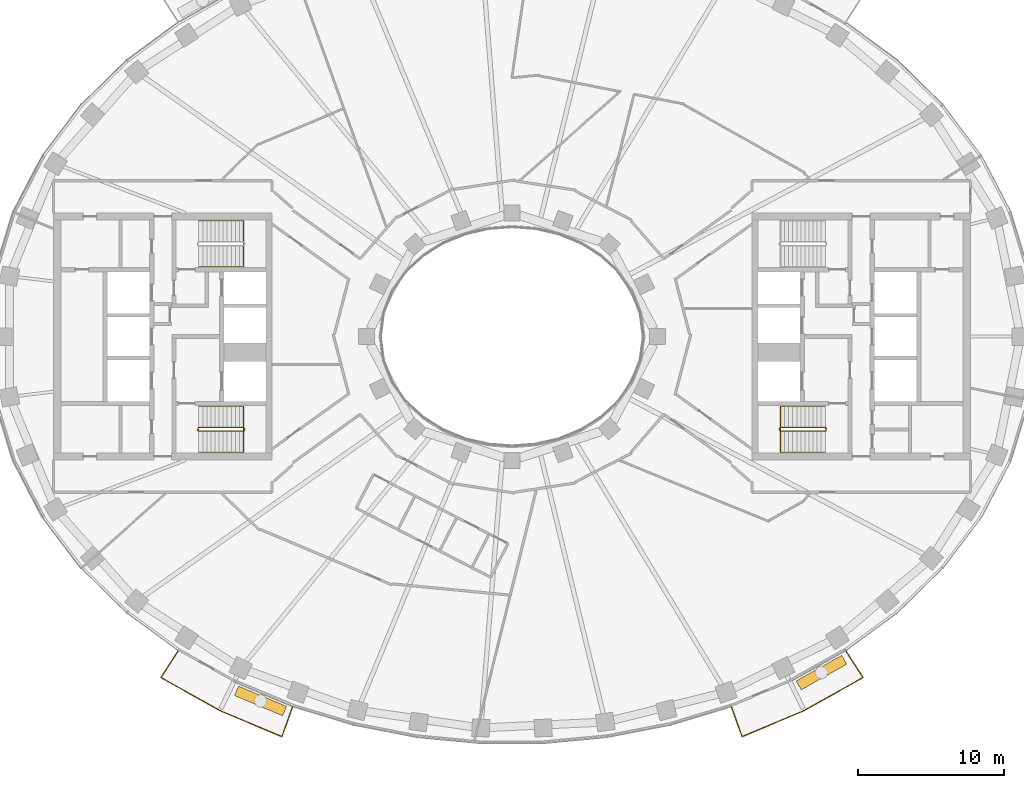
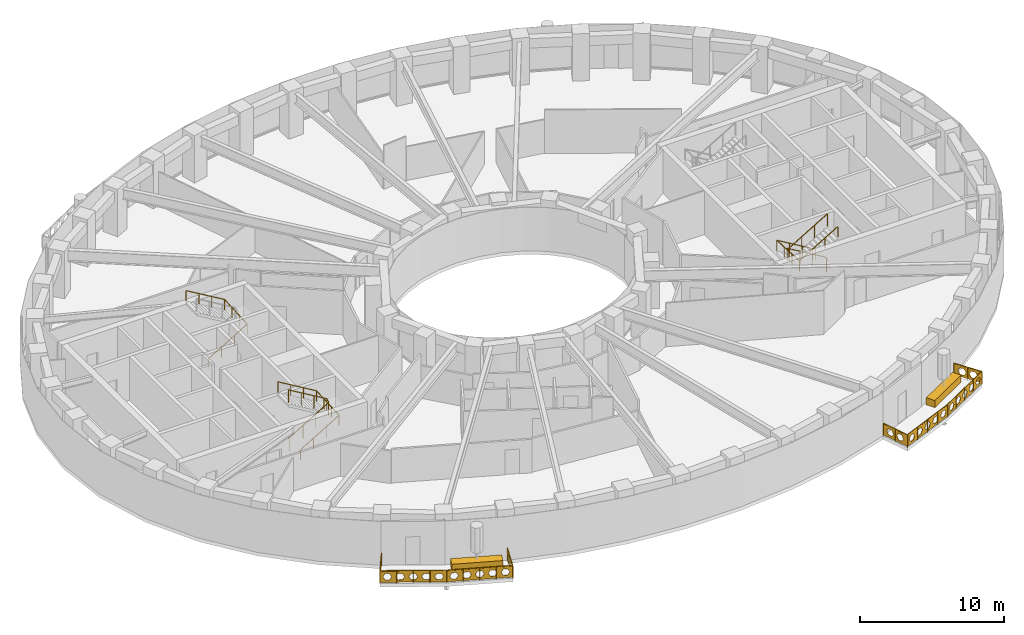
# One storey, part 13 of 15: 7 railings, 2 coverings.
"""IFC4 building model written with IfcOpenShell, lengths in metres."""

from ifc_helpers import new_model, si_unit, direction, frame, origin, origin_2d, place, context, subcontext, project, spatial, polyline, rectangle, outline, extrude, material, type_object, element, save


model = new_model("IFC4")

# Units and contexts
model_context = context("Model", 3, precision=1e-05, world=origin(), true_north=direction((0.0, 1.0)))
body_context = subcontext(model_context, "Body", "Model", "MODEL_VIEW")
ifc_project = project(units=[si_unit("LENGTHUNIT", "METRE"), si_unit("AREAUNIT", "SQUARE_METRE"), si_unit("VOLUMEUNIT", "CUBIC_METRE"), si_unit("PLANEANGLEUNIT", "RADIAN"), si_unit("MASSUNIT", "GRAM", prefix="KILO")], contexts=[model_context])

# Site, building, storey
site_placement = place(None, origin())
site = spatial("IfcSite", under=ifc_project, at=site_placement, CompositionType="ELEMENT")
building_placement = place(site_placement, origin())
building = spatial("IfcBuilding", under=site, at=building_placement, Name="Noorbagh Ring Tower", CompositionType="ELEMENT")
storey_placement = place(building_placement, frame((0.0, 0.0, 170.0)))
storey = spatial("IfcBuildingStorey", under=building, at=storey_placement, Name="L39", CompositionType="ELEMENT", Elevation=170.0)

# Railings
ifc_material_1 = material(Name="Stainless steel", Category="steel")
railing_type_1 = type_object("IfcRailingType", Name="CORE-STAIR-GUARD", PredefinedType="GUARDRAIL", material=ifc_material_1)
railing_1_placement = place(storey_placement, frame((-21.580078125, -6.449951171875, 0.0)))
element("IfcRailing", 1, at=railing_1_placement, inside=storey, type_object=railing_type_1, Name="L39 ST2 stair guard", PredefinedType="GUARDRAIL", context=body_context, shape_type="SweptSolid", body=[
    extrude(rectangle(XDim=0.048095703125, YDim=0.048095703125, at=origin_2d()), frame((0.0, 0.0, 1.076171875), z_axis=(0.0, 1.0, 0.0), x_axis=(-1.0, 0.0, 0.0)), (0.0, 0.0, 1.0), 0.14990234375),
    extrude(rectangle(XDim=0.048095703125, YDim=0.048095703125, at=origin_2d()), frame((0.0, 0.14990234375, 1.076171875), z_axis=(0.188775798145, -0.754182335027, 0.628945707965), x_axis=(0.970072785993, 0.242814311512, 0.0)), (0.0, 0.0, 1.0), 0.26513671875),
    extrude(rectangle(XDim=0.048095703125, YDim=0.048095703125, at=origin_2d()), frame((0.050048828125, -0.050048828125, 1.24267578125), z_axis=(0.859308565015, 0.0, 0.511457515432), x_axis=(0.0, 1.0, 0.0)), (0.0, 0.0, 1.0), 3.58447265625),
    extrude(rectangle(XDim=0.048095703125, YDim=0.048095703125, at=origin_2d()), frame((3.130126953125, -0.050048828125, 3.076171875), z_axis=(0.707106781187, 0.707106781187, 0.0), x_axis=(-0.707106781187, 0.707106781187, 0.0)), (0.0, 0.0, 1.0), 0.07080078125),
    extrude(rectangle(XDim=0.048095703125, YDim=0.048095703125, at=origin_2d()), frame((3.18017578125, 0.0, 3.076171875), z_axis=(0.0, 1.0, 0.0), x_axis=(-1.0, 0.0, 0.0)), (0.0, 0.0, 1.0), 0.14990234375),
    extrude(rectangle(XDim=0.048095703125, YDim=0.048095703125, at=origin_2d()), frame((3.18017578125, 0.14990234375, 3.076171875), z_axis=(-0.27628659633, 0.27628659633, 0.920506074601), x_axis=(-0.707106781187, -0.707106781187, 0.0)), (0.0, 0.0, 1.0), 0.18115234375),
    extrude(rectangle(XDim=0.048095703125, YDim=0.048095703125, at=origin_2d()), frame((3.130126953125, 0.199951171875, 3.24267578125), z_axis=(-0.859308565015, 0.0, 0.511457515432), x_axis=(0.0, -1.0, 0.0)), (0.0, 0.0, 1.0), 3.58447265625),
    extrude(rectangle(XDim=0.0419921875, YDim=0.0419921875, at=origin_2d()), origin(), (0.0, 0.0, 1.0), 1.052001953125),
    extrude(rectangle(XDim=0.0419921875, YDim=0.0419921875, at=origin_2d()), frame((1.07666015625, -0.050048828125, 0.77783203125)), (0.0, 0.0, 1.0), 1.052001953125),
    extrude(rectangle(XDim=0.0419921875, YDim=0.0419921875, at=origin_2d()), frame((2.103515625, -0.050048828125, 1.388916015625)), (0.0, 0.0, 1.0), 1.052001953125),
    extrude(rectangle(XDim=0.0419921875, YDim=0.0419921875, at=origin_2d()), frame((3.130126953125, -0.050048828125, 2.0)), (0.0, 0.0, 1.0), 1.052001953125),
    extrude(rectangle(XDim=0.0419921875, YDim=0.0419921875, at=origin_2d()), frame((3.130126953125, 0.199951171875, 2.166748046875)), (0.0, 0.0, 1.0), 1.052001953125),
    extrude(rectangle(XDim=0.0419921875, YDim=0.0419921875, at=origin_2d()), frame((2.103515625, 0.199951171875, 2.77783203125)), (0.0, 0.0, 1.0), 1.052001953125),
    extrude(rectangle(XDim=0.0419921875, YDim=0.0419921875, at=origin_2d()), frame((1.07666015625, 0.199951171875, 3.388916015625)), (0.0, 0.0, 1.0), 1.052001953125),
    extrude(rectangle(XDim=0.0419921875, YDim=0.0419921875, at=origin_2d()), frame((0.050048828125, 0.199951171875, 4.0)), (0.0, 0.0, 1.0), 1.052001953125),
])
railing_2_placement = place(storey_placement, frame((21.580078125, -6.300048828125, 0.0)))
element("IfcRailing", 2, at=railing_2_placement, inside=storey, type_object=railing_type_1, Name="L39 ST4 stair guard", PredefinedType="GUARDRAIL", context=body_context, shape_type="SweptSolid", body=[
    extrude(rectangle(XDim=0.048095703125, YDim=0.048095703125, at=origin_2d()), frame((0.0, 0.0, 1.076171875), z_axis=(0.0, -1.0, 0.0), x_axis=(1.0, 0.0, 0.0)), (0.0, 0.0, 1.0), 0.14990234375),
    extrude(rectangle(XDim=0.048095703125, YDim=0.048095703125, at=origin_2d()), frame((0.0, -0.14990234375, 1.076171875), z_axis=(-0.188775798145, 0.754182335027, 0.628945707965), x_axis=(-0.970072785993, -0.242814311512, 0.0)), (0.0, 0.0, 1.0), 0.26513671875),
    extrude(rectangle(XDim=0.048095703125, YDim=0.048095703125, at=origin_2d()), frame((-0.050048828125, 0.050048828125, 1.24267578125), z_axis=(-0.859308565015, 0.0, 0.511457515432), x_axis=(0.0, -1.0, 0.0)), (0.0, 0.0, 1.0), 3.58447265625),
    extrude(rectangle(XDim=0.048095703125, YDim=0.048095703125, at=origin_2d()), frame((-3.130126953125, 0.050048828125, 3.076171875), z_axis=(-0.707106781187, -0.707106781187, 0.0), x_axis=(0.707106781187, -0.707106781187, 0.0)), (0.0, 0.0, 1.0), 0.07080078125),
    extrude(rectangle(XDim=0.048095703125, YDim=0.048095703125, at=origin_2d()), frame((-3.18017578125, 0.0, 3.076171875), z_axis=(0.0, -1.0, 0.0), x_axis=(1.0, 0.0, 0.0)), (0.0, 0.0, 1.0), 0.14990234375),
    extrude(rectangle(XDim=0.048095703125, YDim=0.048095703125, at=origin_2d()), frame((-3.18017578125, -0.14990234375, 3.076171875), z_axis=(0.27628659633, -0.27628659633, 0.920506074601), x_axis=(0.707106781187, 0.707106781187, 0.0)), (0.0, 0.0, 1.0), 0.18115234375),
    extrude(rectangle(XDim=0.048095703125, YDim=0.048095703125, at=origin_2d()), frame((-3.130126953125, -0.199951171875, 3.24267578125), z_axis=(0.859308565015, 0.0, 0.511457515432), x_axis=(0.0, 1.0, 0.0)), (0.0, 0.0, 1.0), 3.58447265625),
    extrude(rectangle(XDim=0.0419921875, YDim=0.0419921875, at=origin_2d()), origin(), (0.0, 0.0, 1.0), 1.052001953125),
    extrude(rectangle(XDim=0.0419921875, YDim=0.0419921875, at=origin_2d()), frame((-1.07666015625, 0.050048828125, 0.77783203125)), (0.0, 0.0, 1.0), 1.052001953125),
    extrude(rectangle(XDim=0.0419921875, YDim=0.0419921875, at=origin_2d()), frame((-2.103515625, 0.050048828125, 1.388916015625)), (0.0, 0.0, 1.0), 1.052001953125),
    extrude(rectangle(XDim=0.0419921875, YDim=0.0419921875, at=origin_2d()), frame((-3.130126953125, 0.050048828125, 2.0)), (0.0, 0.0, 1.0), 1.052001953125),
    extrude(rectangle(XDim=0.0419921875, YDim=0.0419921875, at=origin_2d()), frame((-3.130126953125, -0.199951171875, 2.166748046875)), (0.0, 0.0, 1.0), 1.052001953125),
    extrude(rectangle(XDim=0.0419921875, YDim=0.0419921875, at=origin_2d()), frame((-2.103515625, -0.199951171875, 2.77783203125)), (0.0, 0.0, 1.0), 1.052001953125),
    extrude(rectangle(XDim=0.0419921875, YDim=0.0419921875, at=origin_2d()), frame((-1.07666015625, -0.199951171875, 3.388916015625)), (0.0, 0.0, 1.0), 1.052001953125),
    extrude(rectangle(XDim=0.0419921875, YDim=0.0419921875, at=origin_2d()), frame((-0.050048828125, -0.199951171875, 4.0)), (0.0, 0.0, 1.0), 1.052001953125),
])
ifc_material_2 = material(Name="Stainless steel", Category="steel")
railing_type_2 = type_object("IfcRailingType", Name="CORE-STAIR-HANDRAIL", PredefinedType="HANDRAIL", material=ifc_material_2)
railing_3_placement = place(storey_placement, frame((-21.530029296875, 4.800048828125, 0.166748046875)))
element("IfcRailing", 3, at=railing_3_placement, inside=storey, type_object=railing_type_2, Name="L39 ST1 stair handrail", PredefinedType="HANDRAIL", context=body_context, shape_type="SweptSolid", body=[
    extrude(rectangle(XDim=0.048095703125, YDim=0.048095703125, at=origin_2d()), frame((0.0, 0.0, 0.8759765625), z_axis=(0.859308565015, 0.0, 0.511457515432), x_axis=(0.0, 1.0, 0.0)), (0.0, 0.0, 1.0), 3.58447265625),
    extrude(rectangle(XDim=0.048095703125, YDim=0.048095703125, at=origin_2d()), frame((3.080078125, 0.0, 2.708984375), z_axis=(0.0, 0.998601747152, 0.052863509014), x_axis=(-1.0, 0.0, 0.0)), (0.0, 0.0, 1.0), 3.154296875),
    extrude(rectangle(XDim=0.048095703125, YDim=0.048095703125, at=origin_2d()), frame((3.080078125, 3.14990234375, 2.8759765625), z_axis=(-0.859308565015, 0.0, 0.511457515432), x_axis=(0.0, -1.0, 0.0)), (0.0, 0.0, 1.0), 3.58447265625),
    extrude(rectangle(XDim=0.0419921875, YDim=0.0419921875, at=origin_2d()), origin(), (0.0, 0.0, 1.0), 0.851806640625),
    extrude(rectangle(XDim=0.0419921875, YDim=0.0419921875, at=origin_2d()), frame((1.026611328125, 0.0, 0.611083984375)), (0.0, 0.0, 1.0), 0.851806640625),
    extrude(rectangle(XDim=0.0419921875, YDim=0.0419921875, at=origin_2d()), frame((2.053466796875, 0.0, 1.22216796875)), (0.0, 0.0, 1.0), 0.851806640625),
    extrude(rectangle(XDim=0.0419921875, YDim=0.0419921875, at=origin_2d()), frame((3.080078125, 0.0, 1.833251953125)), (0.0, 0.0, 1.0), 0.851806640625),
    extrude(rectangle(XDim=0.0419921875, YDim=0.0419921875, at=origin_2d()), frame((3.080078125, 1.050048828125, 1.888916015625)), (0.0, 0.0, 1.0), 0.851806640625),
    extrude(rectangle(XDim=0.0419921875, YDim=0.0419921875, at=origin_2d()), frame((3.080078125, 2.099853515625, 1.9443359375)), (0.0, 0.0, 1.0), 0.851806640625),
    extrude(rectangle(XDim=0.0419921875, YDim=0.0419921875, at=origin_2d()), frame((3.080078125, 3.14990234375, 2.0)), (0.0, 0.0, 1.0), 0.851806640625),
    extrude(rectangle(XDim=0.0419921875, YDim=0.0419921875, at=origin_2d()), frame((2.053466796875, 3.14990234375, 2.611083984375)), (0.0, 0.0, 1.0), 0.851806640625),
    extrude(rectangle(XDim=0.0419921875, YDim=0.0419921875, at=origin_2d()), frame((1.026611328125, 3.14990234375, 3.22216796875)), (0.0, 0.0, 1.0), 0.851806640625),
    extrude(rectangle(XDim=0.0419921875, YDim=0.0419921875, at=origin_2d()), frame((0.0, 3.14990234375, 3.833251953125)), (0.0, 0.0, 1.0), 0.851806640625),
])
railing_4_placement = place(storey_placement, frame((-21.530029296875, -7.949951171875, 0.166748046875)))
element("IfcRailing", 4, at=railing_4_placement, inside=storey, type_object=railing_type_2, Name="L39 ST2 stair handrail", PredefinedType="HANDRAIL", context=body_context, shape_type="SweptSolid", body=[
    extrude(rectangle(XDim=0.048095703125, YDim=0.048095703125, at=origin_2d()), frame((0.0, 0.0, 0.8759765625), z_axis=(0.859308565015, 0.0, 0.511457515432), x_axis=(0.0, 1.0, 0.0)), (0.0, 0.0, 1.0), 3.58447265625),
    extrude(rectangle(XDim=0.048095703125, YDim=0.048095703125, at=origin_2d()), frame((3.080078125, 0.0, 2.708984375), z_axis=(0.0, 0.998601747152, 0.052863509014), x_axis=(-1.0, 0.0, 0.0)), (0.0, 0.0, 1.0), 3.154296875),
    extrude(rectangle(XDim=0.048095703125, YDim=0.048095703125, at=origin_2d()), frame((3.080078125, 3.14990234375, 2.8759765625), z_axis=(-0.859308565015, 0.0, 0.511457515432), x_axis=(0.0, -1.0, 0.0)), (0.0, 0.0, 1.0), 3.58447265625),
    extrude(rectangle(XDim=0.0419921875, YDim=0.0419921875, at=origin_2d()), origin(), (0.0, 0.0, 1.0), 0.851806640625),
    extrude(rectangle(XDim=0.0419921875, YDim=0.0419921875, at=origin_2d()), frame((1.026611328125, 0.0, 0.611083984375)), (0.0, 0.0, 1.0), 0.851806640625),
    extrude(rectangle(XDim=0.0419921875, YDim=0.0419921875, at=origin_2d()), frame((2.053466796875, 0.0, 1.22216796875)), (0.0, 0.0, 1.0), 0.851806640625),
    extrude(rectangle(XDim=0.0419921875, YDim=0.0419921875, at=origin_2d()), frame((3.080078125, 0.0, 1.833251953125)), (0.0, 0.0, 1.0), 0.851806640625),
    extrude(rectangle(XDim=0.0419921875, YDim=0.0419921875, at=origin_2d()), frame((3.080078125, 1.050048828125, 1.888916015625)), (0.0, 0.0, 1.0), 0.851806640625),
    extrude(rectangle(XDim=0.0419921875, YDim=0.0419921875, at=origin_2d()), frame((3.080078125, 2.099853515625, 1.9443359375)), (0.0, 0.0, 1.0), 0.851806640625),
    extrude(rectangle(XDim=0.0419921875, YDim=0.0419921875, at=origin_2d()), frame((3.080078125, 3.14990234375, 2.0)), (0.0, 0.0, 1.0), 0.851806640625),
    extrude(rectangle(XDim=0.0419921875, YDim=0.0419921875, at=origin_2d()), frame((2.053466796875, 3.14990234375, 2.611083984375)), (0.0, 0.0, 1.0), 0.851806640625),
    extrude(rectangle(XDim=0.0419921875, YDim=0.0419921875, at=origin_2d()), frame((1.026611328125, 3.14990234375, 3.22216796875)), (0.0, 0.0, 1.0), 0.851806640625),
    extrude(rectangle(XDim=0.0419921875, YDim=0.0419921875, at=origin_2d()), frame((0.0, 3.14990234375, 3.833251953125)), (0.0, 0.0, 1.0), 0.851806640625),
])
railing_5_placement = place(storey_placement, frame((21.530029296875, -4.800048828125, 0.166748046875)))
element("IfcRailing", 5, at=railing_5_placement, inside=storey, type_object=railing_type_2, Name="L39 ST4 stair handrail", PredefinedType="HANDRAIL", context=body_context, shape_type="SweptSolid", body=[
    extrude(rectangle(XDim=0.048095703125, YDim=0.048095703125, at=origin_2d()), frame((0.0, 0.0, 0.8759765625), z_axis=(-0.859308565015, 0.0, 0.511457515432), x_axis=(0.0, -1.0, 0.0)), (0.0, 0.0, 1.0), 3.58447265625),
    extrude(rectangle(XDim=0.048095703125, YDim=0.048095703125, at=origin_2d()), frame((-3.080078125, 0.0, 2.708984375), z_axis=(0.0, -0.998601747152, 0.052863509014), x_axis=(1.0, 0.0, 0.0)), (0.0, 0.0, 1.0), 3.154296875),
    extrude(rectangle(XDim=0.048095703125, YDim=0.048095703125, at=origin_2d()), frame((-3.080078125, -3.14990234375, 2.8759765625), z_axis=(0.859308565015, 0.0, 0.511457515432), x_axis=(0.0, 1.0, 0.0)), (0.0, 0.0, 1.0), 3.58447265625),
    extrude(rectangle(XDim=0.0419921875, YDim=0.0419921875, at=origin_2d()), origin(), (0.0, 0.0, 1.0), 0.851806640625),
    extrude(rectangle(XDim=0.0419921875, YDim=0.0419921875, at=origin_2d()), frame((-1.026611328125, 0.0, 0.611083984375)), (0.0, 0.0, 1.0), 0.851806640625),
    extrude(rectangle(XDim=0.0419921875, YDim=0.0419921875, at=origin_2d()), frame((-2.053466796875, 0.0, 1.22216796875)), (0.0, 0.0, 1.0), 0.851806640625),
    extrude(rectangle(XDim=0.0419921875, YDim=0.0419921875, at=origin_2d()), frame((-3.080078125, 0.0, 1.833251953125)), (0.0, 0.0, 1.0), 0.851806640625),
    extrude(rectangle(XDim=0.0419921875, YDim=0.0419921875, at=origin_2d()), frame((-3.080078125, -1.050048828125, 1.888916015625)), (0.0, 0.0, 1.0), 0.851806640625),
    extrude(rectangle(XDim=0.0419921875, YDim=0.0419921875, at=origin_2d()), frame((-3.080078125, -2.099853515625, 1.9443359375)), (0.0, 0.0, 1.0), 0.851806640625),
    extrude(rectangle(XDim=0.0419921875, YDim=0.0419921875, at=origin_2d()), frame((-3.080078125, -3.14990234375, 2.0)), (0.0, 0.0, 1.0), 0.851806640625),
    extrude(rectangle(XDim=0.0419921875, YDim=0.0419921875, at=origin_2d()), frame((-2.053466796875, -3.14990234375, 2.611083984375)), (0.0, 0.0, 1.0), 0.851806640625),
    extrude(rectangle(XDim=0.0419921875, YDim=0.0419921875, at=origin_2d()), frame((-1.026611328125, -3.14990234375, 3.22216796875)), (0.0, 0.0, 1.0), 0.851806640625),
    extrude(rectangle(XDim=0.0419921875, YDim=0.0419921875, at=origin_2d()), frame((0.0, -3.14990234375, 3.833251953125)), (0.0, 0.0, 1.0), 0.851806640625),
])
ifc_material_3 = material(Name="Steel S275 black powder-coated", Category="steel")
railing_type_3 = type_object("IfcRailingType", Name="ENV-GUARD", PredefinedType="GUARDRAIL", material=ifc_material_3)
railing_6_placement = place(storey_placement, frame((-22.9326171875, -21.583740234375, 0.0)))
element("IfcRailing", 6, at=railing_6_placement, inside=storey, type_object=railing_type_3, Name="Balcony guard BS02", PredefinedType="GUARDRAIL", context=body_context, shape_type="SweptSolid", body=[
    extrude(rectangle(XDim=0.048095703125, YDim=0.048095703125, at=origin_2d()), frame((0.0, 0.0, 1.076171875), z_axis=(-0.542268136821, -0.840205491406, 0.0), x_axis=(0.840205491406, -0.542268136821, 0.0)), (0.0, 0.0, 1.0), 2.204345703125),
    extrude(rectangle(XDim=0.048095703125, YDim=0.048095703125, at=origin_2d()), frame((-1.1953125, -1.85205078125, 1.076171875), z_axis=(0.872052247658, -0.489412788303, 0.0), x_axis=(0.489412788303, 0.872052247658, 0.0)), (0.0, 0.0, 1.0), 4.646240234375),
    extrude(rectangle(XDim=0.048095703125, YDim=0.048095703125, at=origin_2d()), frame((2.8564453125, -4.1259765625, 1.076171875), z_axis=(0.921809087722, -0.387644174203, 0.0), x_axis=(0.387644174203, 0.921809087722, 0.0)), (0.0, 0.0, 1.0), 4.627197265625),
    extrude(rectangle(XDim=0.048095703125, YDim=0.048095703125, at=origin_2d()), frame((7.121826171875, -5.919677734375, 1.076171875), z_axis=(0.338350546839, 0.941020141896, 0.0), x_axis=(-0.941020141896, 0.338350546839, 0.0)), (0.0, 0.0, 1.0), 2.202880859375),
    extrude(rectangle(XDim=0.0419921875, YDim=0.0419921875, at=origin_2d()), origin(), (0.0, 0.0, 1.0), 1.052001953125),
    extrude(rectangle(XDim=0.0419921875, YDim=0.0419921875, at=origin_2d()), frame((-0.59765625, -0.926025390625, 0.0)), (0.0, 0.0, 1.0), 1.052001953125),
    extrude(rectangle(XDim=0.0419921875, YDim=0.0419921875, at=origin_2d()), frame((-1.1953125, -1.85205078125, 0.0)), (0.0, 0.0, 1.0), 1.052001953125),
    extrude(rectangle(XDim=0.0419921875, YDim=0.0419921875, at=origin_2d()), frame((-0.182373046875, -2.42041015625, 0.0)), (0.0, 0.0, 1.0), 1.052001953125),
    extrude(rectangle(XDim=0.0419921875, YDim=0.0419921875, at=origin_2d()), frame((0.83056640625, -2.989013671875, 0.0)), (0.0, 0.0, 1.0), 1.052001953125),
    extrude(rectangle(XDim=0.0419921875, YDim=0.0419921875, at=origin_2d()), frame((1.843505859375, -3.5576171875, 0.0)), (0.0, 0.0, 1.0), 1.052001953125),
    extrude(rectangle(XDim=0.0419921875, YDim=0.0419921875, at=origin_2d()), frame((2.8564453125, -4.1259765625, 0.0)), (0.0, 0.0, 1.0), 1.052001953125),
    extrude(rectangle(XDim=0.0419921875, YDim=0.0419921875, at=origin_2d()), frame((3.9228515625, -4.574462890625, 0.0)), (0.0, 0.0, 1.0), 1.052001953125),
    extrude(rectangle(XDim=0.0419921875, YDim=0.0419921875, at=origin_2d()), frame((4.9892578125, -5.02294921875, 0.0)), (0.0, 0.0, 1.0), 1.052001953125),
    extrude(rectangle(XDim=0.0419921875, YDim=0.0419921875, at=origin_2d()), frame((6.055419921875, -5.47119140625, 0.0)), (0.0, 0.0, 1.0), 1.052001953125),
    extrude(rectangle(XDim=0.0419921875, YDim=0.0419921875, at=origin_2d()), frame((7.121826171875, -5.919677734375, 0.0)), (0.0, 0.0, 1.0), 1.052001953125),
    extrude(rectangle(XDim=0.0419921875, YDim=0.0419921875, at=origin_2d()), frame((7.49462890625, -4.88330078125, 0.0)), (0.0, 0.0, 1.0), 1.052001953125),
    extrude(rectangle(XDim=0.0419921875, YDim=0.0419921875, at=origin_2d()), frame((7.8671875, -3.8466796875, 0.0)), (0.0, 0.0, 1.0), 1.052001953125),
    extrude(outline(polyline([(0.0, 0.10009765625), (2.204345703125, 0.10009765625), (2.204345703125, 1.031982421875), (0.0, 1.031982421875), (0.0, 0.10009765625)]), holes=[polyline([(0.962158203125, 0.56591796875), (0.80712890625, 0.83447265625), (0.4970703125, 0.83447265625), (0.342041015625, 0.56591796875), (0.4970703125, 0.297607421875), (0.80712890625, 0.297607421875), (0.962158203125, 0.56591796875)]), polyline([(1.862060546875, 0.56591796875), (1.70703125, 0.83447265625), (1.397216796875, 0.83447265625), (1.2421875, 0.56591796875), (1.397216796875, 0.297607421875), (1.70703125, 0.297607421875), (1.862060546875, 0.56591796875)])]), frame((0.00830078125, -0.00537109375, 0.0), z_axis=(-0.840205491406, 0.542268136821, 0.0), x_axis=(-0.542268136821, -0.840205491406, 0.0)), (0.0, 0.0, 1.0), 0.02001953125),
    extrude(outline(polyline([(0.0, 0.10009765625), (4.646240234375, 0.10009765625), (4.646240234375, 1.031982421875), (0.0, 1.031982421875), (0.0, 0.10009765625)]), holes=[polyline([(0.8330078125, 0.56591796875), (0.67822265625, 0.83447265625), (0.3681640625, 0.83447265625), (0.213134765625, 0.56591796875), (0.3681640625, 0.297607421875), (0.67822265625, 0.297607421875), (0.8330078125, 0.56591796875)]), polyline([(1.733154296875, 0.56591796875), (1.578125, 0.83447265625), (1.26806640625, 0.83447265625), (1.113037109375, 0.56591796875), (1.26806640625, 0.297607421875), (1.578125, 0.297607421875), (1.733154296875, 0.56591796875)]), polyline([(2.633056640625, 0.56591796875), (2.47802734375, 0.83447265625), (2.168212890625, 0.83447265625), (2.01318359375, 0.56591796875), (2.168212890625, 0.297607421875), (2.47802734375, 0.297607421875), (2.633056640625, 0.56591796875)]), polyline([(3.533203125, 0.56591796875), (3.378173828125, 0.83447265625), (3.068115234375, 0.83447265625), (2.9130859375, 0.56591796875), (3.068115234375, 0.297607421875), (3.378173828125, 0.297607421875), (3.533203125, 0.56591796875)]), polyline([(4.43310546875, 0.56591796875), (4.278076171875, 0.83447265625), (3.968017578125, 0.83447265625), (3.813232421875, 0.56591796875), (3.968017578125, 0.297607421875), (4.278076171875, 0.297607421875), (4.43310546875, 0.56591796875)])]), frame((-1.1904296875, -1.84326171875, 0.0), z_axis=(-0.489412788303, -0.872052247658, 0.0), x_axis=(0.872052247658, -0.489412788303, 0.0)), (0.0, 0.0, 1.0), 0.02001953125),
    extrude(outline(polyline([(0.0, 0.10009765625), (4.627197265625, 0.10009765625), (4.627197265625, 1.031982421875), (0.0, 1.031982421875), (0.0, 0.10009765625)]), holes=[polyline([(0.823486328125, 0.56591796875), (0.668701171875, 0.83447265625), (0.358642578125, 0.83447265625), (0.20361328125, 0.56591796875), (0.358642578125, 0.297607421875), (0.668701171875, 0.297607421875), (0.823486328125, 0.56591796875)]), polyline([(1.7236328125, 0.56591796875), (1.568603515625, 0.83447265625), (1.258544921875, 0.83447265625), (1.103515625, 0.56591796875), (1.258544921875, 0.297607421875), (1.568603515625, 0.297607421875), (1.7236328125, 0.56591796875)]), polyline([(2.62353515625, 0.56591796875), (2.468505859375, 0.83447265625), (2.15869140625, 0.83447265625), (2.003662109375, 0.56591796875), (2.15869140625, 0.297607421875), (2.468505859375, 0.297607421875), (2.62353515625, 0.56591796875)]), polyline([(3.523681640625, 0.56591796875), (3.36865234375, 0.83447265625), (3.05859375, 0.83447265625), (2.903564453125, 0.56591796875), (3.05859375, 0.297607421875), (3.36865234375, 0.297607421875), (3.523681640625, 0.56591796875)]), polyline([(4.423583984375, 0.56591796875), (4.2685546875, 0.83447265625), (3.95849609375, 0.83447265625), (3.8037109375, 0.56591796875), (3.95849609375, 0.297607421875), (4.2685546875, 0.297607421875), (4.423583984375, 0.56591796875)])]), frame((2.8603515625, -4.11669921875, 0.0), z_axis=(-0.387644174203, -0.921809087722, 0.0), x_axis=(0.921809087722, -0.387644174203, 0.0)), (0.0, 0.0, 1.0), 0.02001953125),
    extrude(outline(polyline([(0.0, 0.10009765625), (2.202880859375, 0.10009765625), (2.202880859375, 1.031982421875), (0.0, 1.031982421875), (0.0, 0.10009765625)]), holes=[polyline([(0.96142578125, 0.56591796875), (0.806396484375, 0.83447265625), (0.49658203125, 0.83447265625), (0.341552734375, 0.56591796875), (0.49658203125, 0.297607421875), (0.806396484375, 0.297607421875), (0.96142578125, 0.56591796875)]), polyline([(1.861572265625, 0.56591796875), (1.70654296875, 0.83447265625), (1.396484375, 0.83447265625), (1.241455078125, 0.56591796875), (1.396484375, 0.297607421875), (1.70654296875, 0.297607421875), (1.861572265625, 0.56591796875)])]), frame((7.1123046875, -5.916259765625, 0.0), z_axis=(0.941020141896, -0.338350546839, 0.0), x_axis=(0.338350546839, 0.941020141896, 0.0)), (0.0, 0.0, 1.0), 0.02001953125),
])
railing_7_placement = place(storey_placement, frame((15.0654296875, -25.430419921875, 0.0)))
element("IfcRailing", 7, at=railing_7_placement, inside=storey, type_object=railing_type_3, Name="Balcony guard BS05", PredefinedType="GUARDRAIL", context=body_context, shape_type="SweptSolid", body=[
    extrude(rectangle(XDim=0.048095703125, YDim=0.048095703125, at=origin_2d()), frame((0.0, 0.0, 1.076171875), z_axis=(0.338350546839, -0.941020141896, 0.0), x_axis=(0.941020141896, 0.338350546839, 0.0)), (0.0, 0.0, 1.0), 2.202880859375),
    extrude(rectangle(XDim=0.048095703125, YDim=0.048095703125, at=origin_2d()), frame((0.745361328125, -2.072998046875, 1.076171875), z_axis=(0.921809087722, 0.387644174203, 0.0), x_axis=(-0.387644174203, 0.921809087722, 0.0)), (0.0, 0.0, 1.0), 4.627197265625),
    extrude(rectangle(XDim=0.048095703125, YDim=0.048095703125, at=origin_2d()), frame((5.0107421875, -0.279296875, 1.076171875), z_axis=(0.872052247658, 0.489412788303, 0.0), x_axis=(-0.489412788303, 0.872052247658, 0.0)), (0.0, 0.0, 1.0), 4.646240234375),
    extrude(rectangle(XDim=0.048095703125, YDim=0.048095703125, at=origin_2d()), frame((9.0625, 1.99462890625, 1.076171875), z_axis=(-0.542268136821, 0.840205491406, 0.0), x_axis=(-0.840205491406, -0.542268136821, 0.0)), (0.0, 0.0, 1.0), 2.204345703125),
    extrude(rectangle(XDim=0.0419921875, YDim=0.0419921875, at=origin_2d()), origin(), (0.0, 0.0, 1.0), 1.052001953125),
    extrude(rectangle(XDim=0.0419921875, YDim=0.0419921875, at=origin_2d()), frame((0.37255859375, -1.03662109375, 0.0)), (0.0, 0.0, 1.0), 1.052001953125),
    extrude(rectangle(XDim=0.0419921875, YDim=0.0419921875, at=origin_2d()), frame((0.745361328125, -2.072998046875, 0.0)), (0.0, 0.0, 1.0), 1.052001953125),
    extrude(rectangle(XDim=0.0419921875, YDim=0.0419921875, at=origin_2d()), frame((1.811767578125, -1.62451171875, 0.0)), (0.0, 0.0, 1.0), 1.052001953125),
    extrude(rectangle(XDim=0.0419921875, YDim=0.0419921875, at=origin_2d()), frame((2.8779296875, -1.17626953125, 0.0)), (0.0, 0.0, 1.0), 1.052001953125),
    extrude(rectangle(XDim=0.0419921875, YDim=0.0419921875, at=origin_2d()), frame((3.9443359375, -0.727783203125, 0.0)), (0.0, 0.0, 1.0), 1.052001953125),
    extrude(rectangle(XDim=0.0419921875, YDim=0.0419921875, at=origin_2d()), frame((5.0107421875, -0.279296875, 0.0)), (0.0, 0.0, 1.0), 1.052001953125),
    extrude(rectangle(XDim=0.0419921875, YDim=0.0419921875, at=origin_2d()), frame((6.023681640625, 0.2890625, 0.0)), (0.0, 0.0, 1.0), 1.052001953125),
    extrude(rectangle(XDim=0.0419921875, YDim=0.0419921875, at=origin_2d()), frame((7.03662109375, 0.857666015625, 0.0)), (0.0, 0.0, 1.0), 1.052001953125),
    extrude(rectangle(XDim=0.0419921875, YDim=0.0419921875, at=origin_2d()), frame((8.049560546875, 1.42626953125, 0.0)), (0.0, 0.0, 1.0), 1.052001953125),
    extrude(rectangle(XDim=0.0419921875, YDim=0.0419921875, at=origin_2d()), frame((9.0625, 1.99462890625, 0.0)), (0.0, 0.0, 1.0), 1.052001953125),
    extrude(rectangle(XDim=0.0419921875, YDim=0.0419921875, at=origin_2d()), frame((8.46484375, 2.920654296875, 0.0)), (0.0, 0.0, 1.0), 1.052001953125),
    extrude(rectangle(XDim=0.0419921875, YDim=0.0419921875, at=origin_2d()), frame((7.8671875, 3.8466796875, 0.0)), (0.0, 0.0, 1.0), 1.052001953125),
    extrude(outline(polyline([(0.0, 0.10009765625), (2.202880859375, 0.10009765625), (2.202880859375, 1.031982421875), (0.0, 1.031982421875), (0.0, 0.10009765625)]), holes=[polyline([(0.96142578125, 0.56591796875), (0.806396484375, 0.83447265625), (0.49658203125, 0.83447265625), (0.341552734375, 0.56591796875), (0.49658203125, 0.297607421875), (0.806396484375, 0.297607421875), (0.96142578125, 0.56591796875)]), polyline([(1.861572265625, 0.56591796875), (1.70654296875, 0.83447265625), (1.396484375, 0.83447265625), (1.241455078125, 0.56591796875), (1.396484375, 0.297607421875), (1.70654296875, 0.297607421875), (1.861572265625, 0.56591796875)])]), frame((0.009521484375, 0.00341796875, 0.0), z_axis=(-0.941020141896, -0.338350546839, 0.0), x_axis=(0.338350546839, -0.941020141896, 0.0)), (0.0, 0.0, 1.0), 0.02001953125),
    extrude(outline(polyline([(0.0, 0.10009765625), (4.627197265625, 0.10009765625), (4.627197265625, 1.031982421875), (0.0, 1.031982421875), (0.0, 0.10009765625)]), holes=[polyline([(0.823486328125, 0.56591796875), (0.668701171875, 0.83447265625), (0.358642578125, 0.83447265625), (0.20361328125, 0.56591796875), (0.358642578125, 0.297607421875), (0.668701171875, 0.297607421875), (0.823486328125, 0.56591796875)]), polyline([(1.7236328125, 0.56591796875), (1.568603515625, 0.83447265625), (1.258544921875, 0.83447265625), (1.103515625, 0.56591796875), (1.258544921875, 0.297607421875), (1.568603515625, 0.297607421875), (1.7236328125, 0.56591796875)]), polyline([(2.62353515625, 0.56591796875), (2.468505859375, 0.83447265625), (2.15869140625, 0.83447265625), (2.003662109375, 0.56591796875), (2.15869140625, 0.297607421875), (2.468505859375, 0.297607421875), (2.62353515625, 0.56591796875)]), polyline([(3.523681640625, 0.56591796875), (3.36865234375, 0.83447265625), (3.05859375, 0.83447265625), (2.903564453125, 0.56591796875), (3.05859375, 0.297607421875), (3.36865234375, 0.297607421875), (3.523681640625, 0.56591796875)]), polyline([(4.423583984375, 0.56591796875), (4.2685546875, 0.83447265625), (3.95849609375, 0.83447265625), (3.8037109375, 0.56591796875), (3.95849609375, 0.297607421875), (4.2685546875, 0.297607421875), (4.423583984375, 0.56591796875)])]), frame((0.741455078125, -2.063720703125, 0.0), z_axis=(0.387644174203, -0.921809087722, 0.0), x_axis=(0.921809087722, 0.387644174203, 0.0)), (0.0, 0.0, 1.0), 0.02001953125),
    extrude(outline(polyline([(0.0, 0.10009765625), (4.646240234375, 0.10009765625), (4.646240234375, 1.031982421875), (0.0, 1.031982421875), (0.0, 0.10009765625)]), holes=[polyline([(0.8330078125, 0.56591796875), (0.67822265625, 0.83447265625), (0.3681640625, 0.83447265625), (0.213134765625, 0.56591796875), (0.3681640625, 0.297607421875), (0.67822265625, 0.297607421875), (0.8330078125, 0.56591796875)]), polyline([(1.733154296875, 0.56591796875), (1.578125, 0.83447265625), (1.26806640625, 0.83447265625), (1.113037109375, 0.56591796875), (1.26806640625, 0.297607421875), (1.578125, 0.297607421875), (1.733154296875, 0.56591796875)]), polyline([(2.633056640625, 0.56591796875), (2.47802734375, 0.83447265625), (2.168212890625, 0.83447265625), (2.01318359375, 0.56591796875), (2.168212890625, 0.297607421875), (2.47802734375, 0.297607421875), (2.633056640625, 0.56591796875)]), polyline([(3.533203125, 0.56591796875), (3.378173828125, 0.83447265625), (3.068115234375, 0.83447265625), (2.9130859375, 0.56591796875), (3.068115234375, 0.297607421875), (3.378173828125, 0.297607421875), (3.533203125, 0.56591796875)]), polyline([(4.43310546875, 0.56591796875), (4.278076171875, 0.83447265625), (3.968017578125, 0.83447265625), (3.813232421875, 0.56591796875), (3.968017578125, 0.297607421875), (4.278076171875, 0.297607421875), (4.43310546875, 0.56591796875)])]), frame((5.005859375, -0.2705078125, 0.0), z_axis=(0.489412788303, -0.872052247658, 0.0), x_axis=(0.872052247658, 0.489412788303, 0.0)), (0.0, 0.0, 1.0), 0.02001953125),
    extrude(outline(polyline([(0.0, 0.10009765625), (2.204345703125, 0.10009765625), (2.204345703125, 1.031982421875), (0.0, 1.031982421875), (0.0, 0.10009765625)]), holes=[polyline([(0.962158203125, 0.56591796875), (0.80712890625, 0.83447265625), (0.4970703125, 0.83447265625), (0.342041015625, 0.56591796875), (0.4970703125, 0.297607421875), (0.80712890625, 0.297607421875), (0.962158203125, 0.56591796875)]), polyline([(1.862060546875, 0.56591796875), (1.70703125, 0.83447265625), (1.397216796875, 0.83447265625), (1.2421875, 0.56591796875), (1.397216796875, 0.297607421875), (1.70703125, 0.297607421875), (1.862060546875, 0.56591796875)])]), frame((9.05419921875, 1.9892578125, 0.0), z_axis=(0.840205491406, 0.542268136821, 0.0), x_axis=(-0.542268136821, 0.840205491406, 0.0)), (0.0, 0.0, 1.0), 0.02001953125),
])

# Coverings
ifc_material_4 = material(Name="Concrete C30/37 planter with soil", Category="concrete")
covering_type = type_object("IfcCoveringType", Name="ENV-PLANTER", PredefinedType="CLADDING", material=ifc_material_4)
covering_1_placement = place(storey_placement, frame((-17.280517578125, -25.041259765625, 0.0), z_axis=(0.0, 0.0, 1.0), x_axis=(0.921811566494, -0.387638279686, 0.0)))
element("IfcCovering", 8, at=covering_1_placement, inside=storey, type_object=covering_type, Name="PLANTER BS02", ObjectType="PLANTER", PredefinedType="CLADDING", context=body_context, shape_type="SweptSolid", body=[
    extrude(rectangle(XDim=3.5859375, YDim=0.699951171875, at=origin_2d()), origin(), (0.0, 0.0, 1.0), 0.60009765625),
])
covering_2_placement = place(storey_placement, frame((21.26513671875, -23.093017578125, 0.0), z_axis=(0.0, 0.0, 1.0), x_axis=(0.872044586249, 0.48942643941, 0.0)))
element("IfcCovering", 9, at=covering_2_placement, inside=storey, type_object=covering_type, Name="PLANTER BS05", ObjectType="PLANTER", PredefinedType="CLADDING", context=body_context, shape_type="SweptSolid", body=[
    extrude(rectangle(XDim=3.58544921875, YDim=0.699951171875, at=origin_2d()), origin(), (0.0, 0.0, 1.0), 0.60009765625),
])

save(model, "model.ifc")
